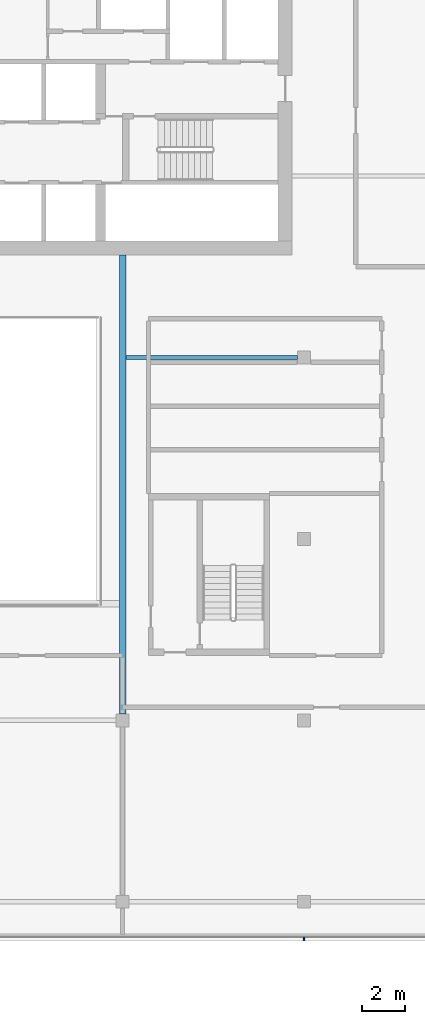
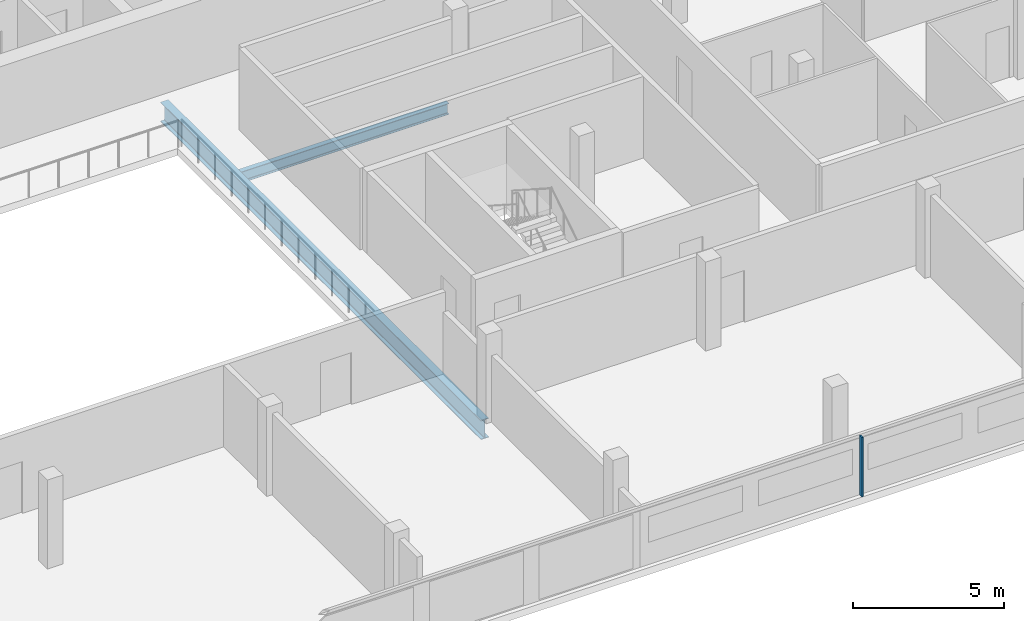
# One storey, part 8 of 25: 2 beams, 1 member, 1 element without a shape of its own.
"""IFC4 building model written with IfcOpenShell, lengths in metres."""

import ifcopenshell
import ifcopenshell.guid

model = None  # the IFC model being written
_history = None  # IfcOwnerHistory: only IFC2X3 demands one
_inside = {}  # id of a spatial element -> (the spatial element, [elements in it])
_under = {}  # id of a project, library or spatial element -> (it, [spatial elements below it])
_declared = {}  # id of a project -> (the project, [libraries it declares])
_typed = {}  # id of a type object -> (the type object, [elements of that type])
_made_of = {}  # id of a material, layer set ... -> (it, [elements and type objects made of it])


def new_model(schema):
    """Start an empty IFC model of exactly this schema.

    Asked for "IFC4X3", IfcOpenShell would pick the latest addendum, in which some entities
    have other attributes; the version numbers below select the first issue.
    IFC2X3 requires an IfcOwnerHistory on every rooted entity: one is made here for all.
    """
    global model, _history
    if schema == "IFC4X3":
        model = ifcopenshell.file(schema_version=(4, 3, 0, 0))
    else:
        model = ifcopenshell.file(schema=schema)
    _inside.clear()
    _under.clear()
    _declared.clear()
    _typed.clear()
    _made_of.clear()
    _history = None
    if model.schema == "IFC2X3":
        org = make("IfcOrganization", Name="unknown")
        user = make(
            "IfcPersonAndOrganization",
            ThePerson=make("IfcPerson", FamilyName="unknown"),
            TheOrganization=org,
        )
        app = make(
            "IfcApplication",
            ApplicationDeveloper=org,
            Version="unknown",
            ApplicationFullName="unknown",
            ApplicationIdentifier="unknown",
        )
        _history = make(
            "IfcOwnerHistory",
            OwningUser=user,
            OwningApplication=app,
            ChangeAction="ADDED",
            CreationDate=0,
        )
    return model


def make(cls, **values):
    """One entity of the class cls with the attributes given. An attribute that is None is left unset."""
    return model.create_entity(
        cls, **{name: value for name, value in values.items() if value is not None}
    )


def rooted(cls, **values):
    """An entity with a GlobalId (a new one), such as an element, a storey or a relation."""
    return make(cls, GlobalId=ifcopenshell.guid.new(), OwnerHistory=_history, **values)


def si_unit(unit_type, name, prefix=None):
    """IfcSIUnit, for example si_unit("LENGTHUNIT", "METRE", prefix="MILLI")."""
    return make("IfcSIUnit", UnitType=unit_type, Prefix=prefix, Name=name)


def assignment(units):
    """IfcUnitAssignment: the units of a project."""
    return None if units is None else make("IfcUnitAssignment", Units=units)


def point(xyz):
    """IfcCartesianPoint."""
    return None if xyz is None else make("IfcCartesianPoint", Coordinates=xyz)


def direction(xyz):
    """IfcDirection."""
    return None if xyz is None else make("IfcDirection", DirectionRatios=xyz)


def frame(location, z_axis=None, x_axis=None):
    """IfcAxis2Placement3D, a coordinate frame: its origin and axes. An axis left out is left unset."""
    return make(
        "IfcAxis2Placement3D",
        Location=point(location),
        Axis=direction(z_axis),
        RefDirection=direction(x_axis),
    )


def frame_2d(location, x_axis=None):
    """IfcAxis2Placement2D, a coordinate frame in the plane: its origin and x axis."""
    return make(
        "IfcAxis2Placement2D", Location=point(location), RefDirection=direction(x_axis)
    )


def origin():
    """The frame at (0, 0, 0) with its axes left unset."""
    return frame((0.0, 0.0, 0.0))


def origin_2d():
    """The frame at (0, 0) in the plane with its x axis left unset."""
    return frame_2d((0.0, 0.0))


def place(relative_to, where):
    """IfcLocalPlacement: puts the frame where relative to a parent placement (None: the world)."""
    return make(
        "IfcLocalPlacement", PlacementRelTo=relative_to, RelativePlacement=where
    )


def context(
    kind, dimensions, precision=None, world=None, true_north=None, identifier=None
):
    """IfcGeometricRepresentationContext, for example the 3D "Model" context."""
    return make(
        "IfcGeometricRepresentationContext",
        ContextIdentifier=identifier,
        ContextType=kind,
        CoordinateSpaceDimension=dimensions,
        Precision=precision,
        WorldCoordinateSystem=world,
        TrueNorth=true_north,
    )


def subcontext(parent, identifier, kind, view, scale=None):
    """IfcGeometricRepresentationSubContext, for example "Body" below "Model"."""
    return make(
        "IfcGeometricRepresentationSubContext",
        ContextIdentifier=identifier,
        ContextType=kind,
        ParentContext=parent,
        TargetScale=scale,
        TargetView=view,
    )


def project(units=None, contexts=None):
    """IfcProject with its units and contexts."""
    return rooted(
        "IfcProject",
        Name="project",
        RepresentationContexts=contexts,
        UnitsInContext=assignment(units),
    )


def spatial(cls, under=None, at=None, **own):
    """A site, building, storey or space (cls), placed at a placement, below another one or the project."""
    s = rooted(cls, ObjectPlacement=at, **own)
    if under is not None:
        _under.setdefault(under.id(), (under, []))[1].append(s)
    return s


def profile(cls, at=None, kind="AREA", **sizes):
    """A parametric profile (cls). Its sizes go by their IFC names, for example OverallWidth=200.0."""
    return make(cls, ProfileType=kind, Position=at, **sizes)


def rectangle(**sizes):
    """IfcRectangleProfileDef."""
    return profile("IfcRectangleProfileDef", **sizes)


def i_section(**sizes):
    """IfcIShapeProfileDef."""
    return profile("IfcIShapeProfileDef", **sizes)


def extrude(swept, where, along, depth):
    """IfcExtrudedAreaSolid: the profile swept, set in the frame where, extruded along a direction by depth."""
    return make(
        "IfcExtrudedAreaSolid",
        SweptArea=swept,
        Position=where,
        ExtrudedDirection=direction(along),
        Depth=depth,
    )


def shape(context_of_items, identifier, shape_type, items):
    """IfcShapeRepresentation: the items that make up one representation, for example the "Body"."""
    return make(
        "IfcShapeRepresentation",
        ContextOfItems=context_of_items,
        RepresentationIdentifier=identifier,
        RepresentationType=shape_type,
        Items=items,
    )


def material(Name=None, Category=None):
    """IfcMaterial."""
    return make("IfcMaterial", Name=Name, Category=Category)


def material_profile(
    of_material, cross_section, Name=None, Category=None, Priority=None
):
    """IfcMaterialProfile: a cross section and its material."""
    return make(
        "IfcMaterialProfile",
        Name=Name,
        Material=of_material,
        Profile=cross_section,
        Priority=Priority,
        Category=Category,
    )


def profile_set(profiles, Name=None, composite=None):
    """IfcMaterialProfileSet."""
    return make(
        "IfcMaterialProfileSet",
        Name=Name,
        MaterialProfiles=profiles,
        CompositeProfile=composite,
    )


def made_of(thing, what):
    """Note that an element or type object is made of a material, layer set ...; save() writes the relation."""
    if what is not None:
        _made_of.setdefault(what.id(), (what, []))[1].append(thing)
    return thing


def type_object(cls, material=None, **own):
    """A type object (cls), such as IfcWallType, which elements share."""
    return made_of(rooted(cls, **own), material)


def element(
    cls,
    number,
    at=None,
    inside=None,
    cuts=None,
    type_object=None,
    material=None,
    context=None,
    identifier="Body",
    shape_type=None,
    held_by="IfcProductDefinitionShape",
    body=None,
    shapes=None,
    **own,
):
    """One element of the class cls, such as IfcWall. Its Tag is "e" and its number.

    at: its placement. inside: the storey or other place that contains it. cuts: it is an
    opening in that element (IfcRelVoidsElement). A single representation is given by context,
    identifier, shape_type and body (its items); several are given by shapes. held_by: the class
    of the entity that holds the representations. save() writes the other relations.
    """
    e = rooted(cls, Tag="e%d" % number, ObjectPlacement=at, **own)
    if body is not None:
        shapes = [shape(context, identifier, shape_type, body)]
    if shapes is not None:
        e.Representation = make(held_by, Representations=shapes)
    if inside is not None:
        _inside.setdefault(inside.id(), (inside, []))[1].append(e)
    if cuts is not None:
        rooted(
            "IfcRelVoidsElement", RelatingBuildingElement=cuts, RelatedOpeningElement=e
        )
    if type_object is not None:
        _typed.setdefault(type_object.id(), (type_object, []))[1].append(e)
    return made_of(e, material)


def aggregate(whole, parts):
    """IfcRelAggregates: a whole, such as a stair, and the parts it consists of."""
    return rooted("IfcRelAggregates", RelatingObject=whole, RelatedObjects=parts)


def save(model, path):
    """Write the relations noted so far, then the file.

    IfcRelAggregates (storeys below a building ...), IfcRelContainedInSpatialStructure (elements
    in a storey), IfcRelDefinesByType, IfcRelAssociatesMaterial and IfcRelDeclares: one each for
    every whole, place, type object, material and project.
    """
    for whole, parts in _under.values():
        aggregate(whole, parts)
    for where, things in _inside.values():
        rooted(
            "IfcRelContainedInSpatialStructure",
            RelatedElements=things,
            RelatingStructure=where,
        )
    for kind, things in _typed.values():
        rooted("IfcRelDefinesByType", RelatedObjects=things, RelatingType=kind)
    for what, things in _made_of.values():
        rooted("IfcRelAssociatesMaterial", RelatedObjects=things, RelatingMaterial=what)
    for by, libraries in _declared.values():
        rooted("IfcRelDeclares", RelatingContext=by, RelatedDefinitions=libraries)
    model.write(path)


model = new_model("IFC4")

# Units and contexts
model_context = context("Model", 3, precision=1e-05, world=origin(), true_north=direction((0.0, 1.0)))
body_context = subcontext(model_context, "Body", "Model", "MODEL_VIEW")
ifc_project = project(units=[si_unit("LENGTHUNIT", "METRE"), si_unit("AREAUNIT", "SQUARE_METRE"), si_unit("VOLUMEUNIT", "CUBIC_METRE"), si_unit("PLANEANGLEUNIT", "RADIAN"), si_unit("MASSUNIT", "GRAM", prefix="KILO")], contexts=[model_context])

# Site, building, storey
site_placement = place(None, origin())
site = spatial("IfcSite", under=ifc_project, at=site_placement, CompositionType="ELEMENT")
building_placement = place(site_placement, origin())
building = spatial("IfcBuilding", under=site, at=building_placement, Name="Saffron Gate Tower", CompositionType="ELEMENT")
storey_placement = place(building_placement, frame((0.0, 0.0, 248.699951171875)))
storey = spatial("IfcBuildingStorey", under=building, at=storey_placement, Name="L61", CompositionType="ELEMENT", Elevation=248.699951171875)

# Beams
ifc_material_1 = material(Name="Structural steel S355", Category="steel")
ifc_material_profile_1 = material_profile(ifc_material_1, i_section(OverallWidth=0.300048828125, OverallDepth=0.7900390625, WebThickness=0.014892578125, FlangeThickness=0.028076171875, FilletRadius=0.030029296875, at=origin_2d()))
ifc_profile_set_1 = profile_set([ifc_material_profile_1], Name="Structural steel S355")
beam_type_1 = type_object("IfcBeamType", Name="B18 HEA 800", PredefinedType="BEAM", material=ifc_profile_set_1)
beam_1_placement = place(storey_placement, frame((100.199951171875, 40.5, -0.675048828125), z_axis=(0.0, 1.0, 0.0), x_axis=(-1.0, 0.0, 0.0)))
element("IfcBeam", 1, at=beam_1_placement, inside=storey, type_object=beam_type_1, Name="B18 ATRIUM GIRDER", PredefinedType="BEAM", context=body_context, shape_type="SweptSolid", body=[
    extrude(i_section(OverallWidth=0.300048828125, OverallDepth=0.7900390625, WebThickness=0.014892578125, FlangeThickness=0.028076171875, FilletRadius=0.030029296875, at=origin_2d()), origin(), (0.0, 0.0, 1.0), 21.25),
])
ifc_material_profile_2 = material_profile(ifc_material_1, i_section(OverallWidth=0.18994140625, OverallDepth=0.449951171875, WebThickness=0.009521484375, FlangeThickness=0.0146484375, FilletRadius=0.02099609375, at=origin_2d()))
ifc_profile_set_2 = profile_set([ifc_material_profile_2], Name="Structural steel S355")
beam_type_2 = type_object("IfcBeamType", Name="B6 IPE 450", PredefinedType="BEAM", material=ifc_profile_set_2)
beam_2_placement = place(storey_placement, frame((108.300048828125, 57.0, -0.5048828125), z_axis=(-1.0, 0.0, 0.0), x_axis=(0.0, -1.0, 0.0)))
element("IfcBeam", 2, at=beam_2_placement, inside=storey, type_object=beam_type_2, Name="B6 CORE TIE BEAM", PredefinedType="BEAM", context=body_context, shape_type="SweptSolid", body=[
    extrude(i_section(OverallWidth=0.18994140625, OverallDepth=0.449951171875, WebThickness=0.009521484375, FlangeThickness=0.0146484375, FilletRadius=0.02099609375, at=origin_2d()), origin(), (0.0, 0.0, 1.0), 7.949951171875),
])

# Curtain wall, member
ifc_material_2 = material(Name="Aluminium, bronze anodised", Category="aluminium")
curtain_wall_type = type_object("IfcCurtainWallType", Name="CWS1 curtain wall front facade", PredefinedType="NOTDEFINED", material=ifc_material_2)
curtain_wall_placement = place(storey_placement, origin())
curtain_wall = element("IfcCurtainWall", 3, at=curtain_wall_placement, inside=storey, type_object=curtain_wall_type, Name="CWS1 run 1", PredefinedType="NOTDEFINED")
ifc_material_profile_3 = material_profile(ifc_material_2, rectangle(XDim=0.159912109375, YDim=0.06005859375, at=origin_2d()))
ifc_profile_set_3 = profile_set([ifc_material_profile_3], Name="Aluminium, bronze anodised")
member_type = type_object("IfcMemberType", Name="CWS1 mullion 60x160", PredefinedType="MULLION", material=ifc_profile_set_3)
member_placement = place(storey_placement, frame((108.60009765625, 30.080078125, 0.0), z_axis=(0.0, 0.0, 1.0), x_axis=(0.0, 1.0, 0.0)))
member = element("IfcMember", 4, at=member_placement, type_object=member_type, Name="CWS1 mullion 8", PredefinedType="MULLION", context=body_context, shape_type="SweptSolid", body=[
    extrude(rectangle(XDim=0.159912109375, YDim=0.06005859375, at=origin_2d()), origin(), (0.0, 0.0, 1.0), 2.41015625),
])
aggregate(curtain_wall, [member])

save(model, "model.ifc")
